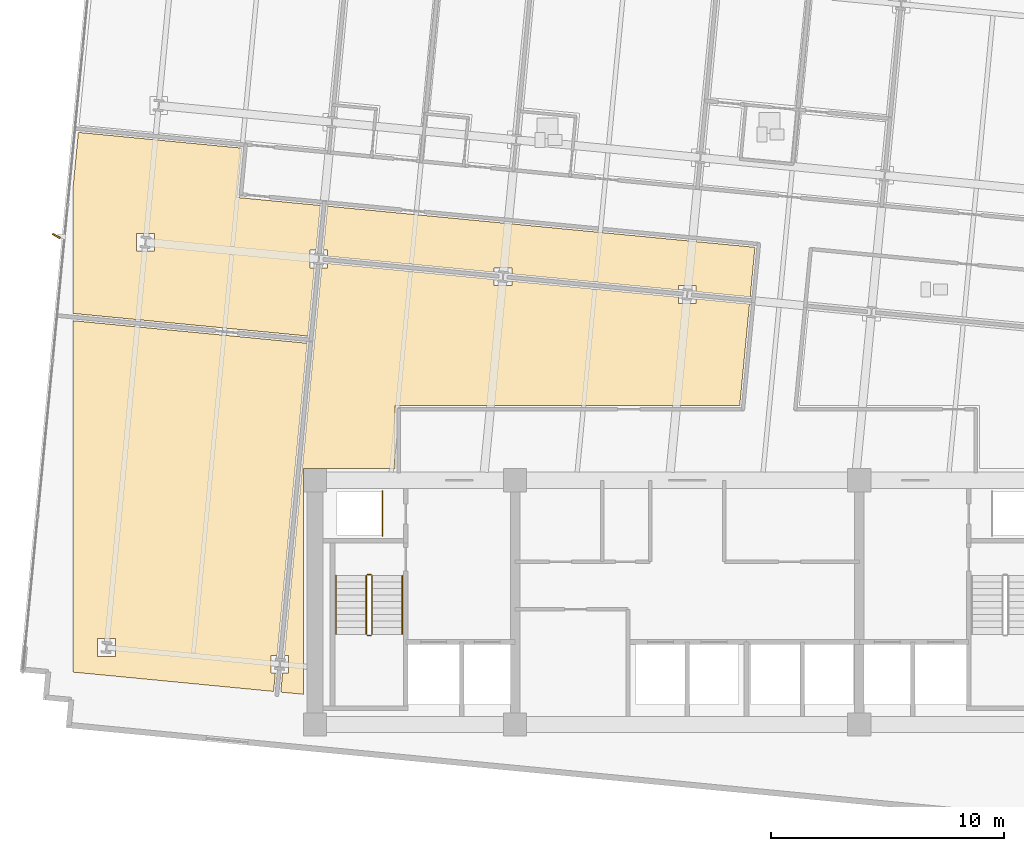
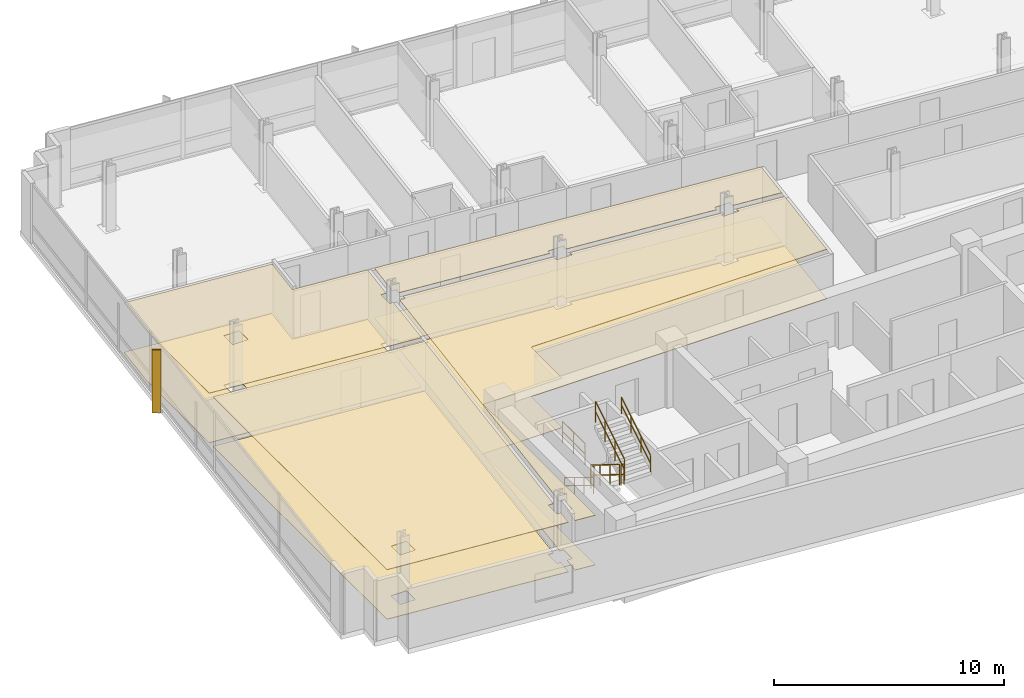
# One storey, part 14 of 17: 8 coverings, 7 railings, 1 shading device.
"""IFC4 building model written with IfcOpenShell, lengths in metres."""

from ifc_helpers import new_model, si_unit, direction, frame, origin, origin_2d, place, context, subcontext, project, spatial, polyline, rectangle, circle, outline, extrude, material, layer, layer_set, type_object, element, save


model = new_model("IFC4")

# Units and contexts
model_context = context("Model", 3, precision=1e-05, world=origin(), true_north=direction((0.0, 1.0)))
body_context = subcontext(model_context, "Body", "Model", "MODEL_VIEW")
ifc_project = project(units=[si_unit("LENGTHUNIT", "METRE"), si_unit("AREAUNIT", "SQUARE_METRE"), si_unit("VOLUMEUNIT", "CUBIC_METRE"), si_unit("PLANEANGLEUNIT", "RADIAN"), si_unit("MASSUNIT", "GRAM", prefix="KILO")], contexts=[model_context])

# Site, building, storey
site_placement = place(None, origin())
site = spatial("IfcSite", under=ifc_project, at=site_placement, CompositionType="ELEMENT")
building_placement = place(site_placement, origin())
building = spatial("IfcBuilding", under=site, at=building_placement, Name="Solmavex Isthmus Hotel", CompositionType="ELEMENT")
storey_placement = place(building_placement, frame((0.0, 0.0, 156.60009765625)))
storey = spatial("IfcBuildingStorey", under=building, at=storey_placement, Name="L42", CompositionType="ELEMENT", Elevation=156.60009765625)

# Coverings
ifc_material_1 = material(Name="Gypsum plasterboard lining", Category="gypsum")
ifc_layer_1 = layer(ifc_material_1, 0.030029296875)
ifc_layer_set_1 = layer_set([ifc_layer_1], Name="Gypsum plasterboard lining")
covering_type_1 = type_object("IfcCoveringType", Name="COV-CEIL-GYP", PredefinedType="CEILING", material=ifc_layer_set_1)
covering_1_placement = place(storey_placement, frame((0.0, 0.0, 2.619873046875)))
element("IfcCovering", 1, at=covering_1_placement, inside=storey, type_object=covering_type_1, Name="Suspended Acoustic Ceiling L42-FL08", PredefinedType="CEILING", context=body_context, shape_type="SweptSolid", body=[
    extrude(outline(polyline([(-0.378662109375, 5.6826171875), (-0.378662109375, 5.870361328125), (0.38134765625, 5.870361328125), (0.38134765625, 5.609375), (2.706787109375, 5.385498046875), (2.911865234375, 7.515625), (-15.463134765625, 9.284912109375), (-15.645263671875, 7.3955078125), (-15.45751953125, 7.3955078125), (-15.45751953125, 7.134521484375), (-8.298095703125, 6.445068359375), (-8.298095703125, 6.6328125), (-7.5380859375, 6.6328125), (-7.5380859375, 6.3720703125), (-0.378662109375, 5.6826171875)])), origin(), (0.0, 0.0, 1.0), 0.030029296875),
])
covering_2_placement = place(storey_placement, frame((0.0, 0.0, 2.619873046875)))
element("IfcCovering", 2, at=covering_2_placement, inside=storey, type_object=covering_type_1, Name="Suspended Acoustic Ceiling L42-FL10", PredefinedType="CEILING", context=body_context, shape_type="SweptSolid", body=[
    extrude(outline(polyline([(-16.02978515625, 6.635498046875), (-16.217529296875, 6.635498046875), (-16.217529296875, 7.3955078125), (-15.95654296875, 7.3955078125), (-15.771728515625, 9.314697265625), (-19.355224609375, 9.65966796875), (-19.151123046875, 11.780029296875), (-26.176513671875, 12.45654296875), (-26.39990234375, 10.135986328125), (-26.39990234375, 4.672119140625), (-16.312255859375, 3.70068359375), (-16.02978515625, 6.635498046875)]), holes=[polyline([(-23.6708984375, 7.35302734375), (-23.6708984375, 8.113037109375), (-22.910888671875, 8.113037109375), (-22.910888671875, 7.35302734375), (-23.6708984375, 7.35302734375)])]), origin(), (0.0, 0.0, 1.0), 0.030029296875),
])
covering_3_placement = place(storey_placement, frame((0.0, 0.0, 2.619873046875)))
element("IfcCovering", 3, at=covering_3_placement, inside=storey, type_object=covering_type_1, Name="Suspended Acoustic Ceiling L42-FL11", PredefinedType="CEILING", context=body_context, shape_type="SweptSolid", body=[
    extrude(outline(polyline([(-17.322509765625, -10.02392578125), (-17.134765625, -10.02392578125), (-17.134765625, -10.783935546875), (-17.395751953125, -10.783935546875), (-17.47509765625, -11.6083984375), (-16.5048828125, -11.70166015625), (-16.5048828125, -1.9951171875), (-12.554931640625, -1.9951171875), (-12.554931640625, 0.705078125), (2.256103515625, 0.705078125), (2.677001953125, 5.076904296875), (0.38134765625, 5.298095703125), (0.38134765625, 5.1103515625), (-0.378662109375, 5.1103515625), (-0.378662109375, 5.37109375), (-7.5380859375, 6.060546875), (-7.5380859375, 5.872802734375), (-8.298095703125, 5.872802734375), (-8.298095703125, 6.1337890625), (-15.45751953125, 6.822998046875), (-15.45751953125, 6.635498046875), (-15.71826171875, 6.635498046875), (-17.322509765625, -10.02392578125)])), origin(), (0.0, 0.0, 1.0), 0.030029296875),
])
covering_4_placement = place(storey_placement, frame((0.0, 0.0, 2.619873046875)))
element("IfcCovering", 4, at=covering_4_placement, inside=storey, type_object=covering_type_1, Name="Suspended Acoustic Ceiling L42-FL13", PredefinedType="CEILING", context=body_context, shape_type="SweptSolid", body=[
    extrude(outline(polyline([(-26.39990234375, 4.360595703125), (-26.39990234375, -10.7490234375), (-17.78369140625, -11.57861328125), (-17.70703125, -10.783935546875), (-17.894775390625, -10.783935546875), (-17.894775390625, -10.02392578125), (-17.6337890625, -10.02392578125), (-16.342041015625, 3.39208984375), (-26.39990234375, 4.360595703125)]), holes=[polyline([(-25.348388671875, -10.06640625), (-25.348388671875, -9.306396484375), (-24.58837890625, -9.306396484375), (-24.58837890625, -10.06640625), (-25.348388671875, -10.06640625)])]), origin(), (0.0, 0.0, 1.0), 0.030029296875),
])
ifc_material_2 = material(Name="Travertine natural stone", Category="masonry")
ifc_layer_2 = layer(ifc_material_2, 0.02490234375)
ifc_layer_set_2 = layer_set([ifc_layer_2], Name="Travertine natural stone")
covering_type_2 = type_object("IfcCoveringType", Name="COV-FLOR-STN", PredefinedType="FLOORING", material=ifc_layer_set_2)
covering_5_placement = place(storey_placement, origin())
element("IfcCovering", 5, at=covering_5_placement, inside=storey, type_object=covering_type_2, Name="Stone and Timber Floor Finish L42-FL08", PredefinedType="FLOORING", context=body_context, shape_type="SweptSolid", body=[
    extrude(outline(polyline([(-0.378662109375, 5.6826171875), (-0.378662109375, 5.870361328125), (0.38134765625, 5.870361328125), (0.38134765625, 5.609375), (2.706787109375, 5.385498046875), (2.911865234375, 7.515625), (-15.463134765625, 9.284912109375), (-15.645263671875, 7.3955078125), (-15.45751953125, 7.3955078125), (-15.45751953125, 7.134521484375), (-8.298095703125, 6.445068359375), (-8.298095703125, 6.6328125), (-7.5380859375, 6.6328125), (-7.5380859375, 6.3720703125), (-0.378662109375, 5.6826171875)])), origin(), (0.0, 0.0, 1.0), 0.02490234375),
])
covering_6_placement = place(storey_placement, origin())
element("IfcCovering", 6, at=covering_6_placement, inside=storey, type_object=covering_type_2, Name="Stone and Timber Floor Finish L42-FL10", PredefinedType="FLOORING", context=body_context, shape_type="SweptSolid", body=[
    extrude(outline(polyline([(-16.02978515625, 6.635498046875), (-16.217529296875, 6.635498046875), (-16.217529296875, 7.3955078125), (-15.95654296875, 7.3955078125), (-15.771728515625, 9.314697265625), (-19.355224609375, 9.65966796875), (-19.151123046875, 11.780029296875), (-26.176513671875, 12.45654296875), (-26.39990234375, 10.135986328125), (-26.39990234375, 4.672119140625), (-16.312255859375, 3.70068359375), (-16.02978515625, 6.635498046875)]), holes=[polyline([(-23.6708984375, 7.35302734375), (-23.6708984375, 8.113037109375), (-22.910888671875, 8.113037109375), (-22.910888671875, 7.35302734375), (-23.6708984375, 7.35302734375)])]), origin(), (0.0, 0.0, 1.0), 0.02490234375),
])
covering_7_placement = place(storey_placement, origin())
element("IfcCovering", 7, at=covering_7_placement, inside=storey, type_object=covering_type_2, Name="Stone and Timber Floor Finish L42-FL11", PredefinedType="FLOORING", context=body_context, shape_type="SweptSolid", body=[
    extrude(outline(polyline([(-17.322509765625, -10.02392578125), (-17.134765625, -10.02392578125), (-17.134765625, -10.783935546875), (-17.395751953125, -10.783935546875), (-17.47509765625, -11.6083984375), (-16.5048828125, -11.70166015625), (-16.5048828125, -1.9951171875), (-12.554931640625, -1.9951171875), (-12.554931640625, 0.705078125), (2.256103515625, 0.705078125), (2.677001953125, 5.076904296875), (0.38134765625, 5.298095703125), (0.38134765625, 5.1103515625), (-0.378662109375, 5.1103515625), (-0.378662109375, 5.37109375), (-7.5380859375, 6.060546875), (-7.5380859375, 5.872802734375), (-8.298095703125, 5.872802734375), (-8.298095703125, 6.1337890625), (-15.45751953125, 6.822998046875), (-15.45751953125, 6.635498046875), (-15.71826171875, 6.635498046875), (-17.322509765625, -10.02392578125)])), origin(), (0.0, 0.0, 1.0), 0.02490234375),
])
covering_8_placement = place(storey_placement, origin())
element("IfcCovering", 8, at=covering_8_placement, inside=storey, type_object=covering_type_2, Name="Stone and Timber Floor Finish L42-FL13", PredefinedType="FLOORING", context=body_context, shape_type="SweptSolid", body=[
    extrude(outline(polyline([(-26.39990234375, 4.360595703125), (-26.39990234375, -10.7490234375), (-17.78369140625, -11.57861328125), (-17.70703125, -10.783935546875), (-17.894775390625, -10.783935546875), (-17.894775390625, -10.02392578125), (-17.6337890625, -10.02392578125), (-16.342041015625, 3.39208984375), (-26.39990234375, 4.360595703125)]), holes=[polyline([(-25.348388671875, -10.06640625), (-25.348388671875, -9.306396484375), (-24.58837890625, -9.306396484375), (-24.58837890625, -10.06640625), (-25.348388671875, -10.06640625)])]), origin(), (0.0, 0.0, 1.0), 0.02490234375),
])

# Railings
ifc_material_3 = material(Name="Clear low-E laminated glass", Category="glass")
ifc_layer_3 = layer(ifc_material_3, 0.080078125)
ifc_layer_set_3 = layer_set([ifc_layer_3], Name="Clear low-E laminated glass")
railing_type_1 = type_object("IfcRailingType", Name="RAIL-ATRIUM-1120", PredefinedType="BALUSTRADE", material=ifc_layer_set_3)
railing_1_placement = place(storey_placement, frame((-13.10009765625, -4.89990234375, 0.0)))
element("IfcRailing", 9, at=railing_1_placement, inside=storey, type_object=railing_type_1, Name="Guardrail Balustrade L42-RSW-01", PredefinedType="BALUSTRADE", context=body_context, shape_type="SweptSolid", body=[
    extrude(circle(Radius=0.02392578125, at=origin_2d()), frame((0.0, 0.0, 1.1259765625), z_axis=(0.0, 1.0, 0.0), x_axis=(-1.0, 0.0, 0.0)), (0.0, 0.0, 1.0), 1.949951171875),
    extrude(circle(Radius=0.02392578125, at=origin_2d()), frame((0.0, 0.0, 0.574951171875), z_axis=(0.0, 1.0, 0.0), x_axis=(-1.0, 0.0, 0.0)), (0.0, 0.0, 1.0), 1.949951171875),
    extrude(circle(Radius=0.02099609375, at=origin_2d()), origin(), (0.0, 0.0, 1.0), 1.101806640625),
    extrude(circle(Radius=0.02099609375, at=origin_2d()), frame((0.0, 0.97509765625, 0.0)), (0.0, 0.0, 1.0), 1.101806640625),
    extrude(circle(Radius=0.02099609375, at=origin_2d()), frame((0.0, 1.949951171875, 0.0)), (0.0, 0.0, 1.0), 1.101806640625),
])
ifc_material_4 = material(Name="Stainless steel 316", Category="steel")
ifc_layer_4 = layer(ifc_material_4, 0.06005859375)
ifc_layer_set_4 = layer_set([ifc_layer_4], Name="Stainless steel 316")
railing_type_2 = type_object("IfcRailingType", Name="RAIL-STAIR-GD", PredefinedType="GUARDRAIL", material=ifc_layer_set_4)
railing_2_placement = place(storey_placement, frame((-13.800048828125, -6.60009765625, 0.17236328125)))
element("IfcRailing", 10, at=railing_2_placement, inside=storey, type_object=railing_type_2, Name="L42 ST-1 stair guard 1", PredefinedType="GUARDRAIL", context=body_context, shape_type="SweptSolid", body=[
    extrude(circle(Radius=0.02392578125, at=origin_2d()), frame((0.0, 0.0, 1.09619140625), z_axis=(0.0, -0.851400495292, 0.524516154772), x_axis=(1.0, 0.0, 0.0)), (0.0, 0.0, 1.0), 2.9599609375),
    extrude(circle(Radius=0.02392578125, at=origin_2d()), frame((0.0, 0.0, 0.56005859375), z_axis=(0.0, -0.851400495292, 0.524516154772), x_axis=(1.0, 0.0, 0.0)), (0.0, 0.0, 1.0), 2.9599609375),
    extrude(circle(Radius=0.02099609375, at=origin_2d()), origin(), (0.0, 0.0, 1.0), 1.072021484375),
    extrude(circle(Radius=0.02099609375, at=origin_2d()), frame((0.0, -0.840087890625, 0.517578125)), (0.0, 0.0, 1.0), 1.072021484375),
    extrude(circle(Radius=0.02099609375, at=origin_2d()), frame((0.0, -1.679931640625, 1.034912109375)), (0.0, 0.0, 1.0), 1.072021484375),
    extrude(circle(Radius=0.02099609375, at=origin_2d()), frame((0.0, -2.52001953125, 1.552490234375)), (0.0, 0.0, 1.0), 1.072021484375),
])
railing_3_placement = place(storey_placement, frame((-13.75, -9.169921875, 1.724853515625)))
element("IfcRailing", 11, at=railing_3_placement, inside=storey, type_object=railing_type_2, Name="L42 ST-1 stair guard 2", PredefinedType="GUARDRAIL", context=body_context, shape_type="SweptSolid", body=[
    extrude(circle(Radius=0.02392578125, at=origin_2d()), frame((0.0, 0.0, 1.09619140625), z_axis=(1.0, 0.0, 0.0), x_axis=(0.0, 1.0, 0.0)), (0.0, 0.0, 1.0), 0.14990234375),
    extrude(circle(Radius=0.02392578125, at=origin_2d()), frame((0.0, 0.0, 0.56005859375), z_axis=(1.0, 0.0, 0.0), x_axis=(0.0, 1.0, 0.0)), (0.0, 0.0, 1.0), 0.14990234375),
    extrude(circle(Radius=0.02099609375, at=origin_2d()), origin(), (0.0, 0.0, 1.0), 1.072021484375),
    extrude(circle(Radius=0.02099609375, at=origin_2d()), frame((0.14990234375, 0.0, 0.0)), (0.0, 0.0, 1.0), 1.072021484375),
])
railing_4_placement = place(storey_placement, frame((-13.550048828125, -9.1201171875, 1.8974609375)))
element("IfcRailing", 12, at=railing_4_placement, inside=storey, type_object=railing_type_2, Name="L42 ST-1 stair guard 3", PredefinedType="GUARDRAIL", context=body_context, shape_type="SweptSolid", body=[
    extrude(circle(Radius=0.02392578125, at=origin_2d()), frame((0.0, 0.0, 1.09619140625), z_axis=(0.0, 0.851400495292, 0.524516154772), x_axis=(-1.0, 0.0, 0.0)), (0.0, 0.0, 1.0), 2.9599609375),
    extrude(circle(Radius=0.02392578125, at=origin_2d()), frame((0.0, 0.0, 0.56005859375), z_axis=(0.0, 0.851400495292, 0.524516154772), x_axis=(-1.0, 0.0, 0.0)), (0.0, 0.0, 1.0), 2.9599609375),
    extrude(circle(Radius=0.02099609375, at=origin_2d()), origin(), (0.0, 0.0, 1.0), 1.072021484375),
    extrude(circle(Radius=0.02099609375, at=origin_2d()), frame((0.0, 0.840087890625, 0.517578125)), (0.0, 0.0, 1.0), 1.072021484375),
    extrude(circle(Radius=0.02099609375, at=origin_2d()), frame((0.0, 1.679931640625, 1.034912109375)), (0.0, 0.0, 1.0), 1.072021484375),
    extrude(circle(Radius=0.02099609375, at=origin_2d()), frame((0.0, 2.52001953125, 1.552490234375)), (0.0, 0.0, 1.0), 1.072021484375),
])
railing_5_placement = place(storey_placement, frame((-13.75, -6.550048828125, 0.0)))
element("IfcRailing", 13, at=railing_5_placement, inside=storey, type_object=railing_type_2, Name="L42 ST-1 stair guard 4", PredefinedType="GUARDRAIL", context=body_context, shape_type="SweptSolid", body=[
    extrude(circle(Radius=0.02392578125, at=origin_2d()), frame((0.0, 0.0, 1.09619140625), z_axis=(1.0, 0.0, 0.0), x_axis=(0.0, 1.0, 0.0)), (0.0, 0.0, 1.0), 0.14990234375),
    extrude(circle(Radius=0.02392578125, at=origin_2d()), frame((0.0, 0.0, 0.56005859375), z_axis=(1.0, 0.0, 0.0), x_axis=(0.0, 1.0, 0.0)), (0.0, 0.0, 1.0), 0.14990234375),
    extrude(circle(Radius=0.02099609375, at=origin_2d()), origin(), (0.0, 0.0, 1.0), 1.072021484375),
    extrude(circle(Radius=0.02099609375, at=origin_2d()), frame((0.14990234375, 0.0, 0.0)), (0.0, 0.0, 1.0), 1.072021484375),
])
ifc_layer_5 = layer(ifc_material_4, 0.050048828125)
ifc_layer_set_5 = layer_set([ifc_layer_5], Name="Stainless steel 316")
railing_type_3 = type_object("IfcRailingType", Name="RAIL-STAIR-HR", PredefinedType="HANDRAIL", material=ifc_layer_set_5)
railing_6_placement = place(storey_placement, frame((-15.10009765625, -6.60009765625, 0.17236328125)))
element("IfcRailing", 14, at=railing_6_placement, inside=storey, type_object=railing_type_3, Name="L42 ST-1 stair handrail 1", PredefinedType="HANDRAIL", context=body_context, shape_type="SweptSolid", body=[
    extrude(circle(Radius=0.02392578125, at=origin_2d()), frame((0.0, 0.0, 0.8759765625), z_axis=(0.0, -0.851400495292, 0.524516154772), x_axis=(1.0, 0.0, 0.0)), (0.0, 0.0, 1.0), 2.9599609375),
    extrude(circle(Radius=0.02392578125, at=origin_2d()), frame((0.0, 0.0, 0.449951171875), z_axis=(0.0, -0.851400495292, 0.524516154772), x_axis=(1.0, 0.0, 0.0)), (0.0, 0.0, 1.0), 2.9599609375),
    extrude(circle(Radius=0.02099609375, at=origin_2d()), origin(), (0.0, 0.0, 1.0), 0.851806640625),
    extrude(circle(Radius=0.02099609375, at=origin_2d()), frame((0.0, -0.840087890625, 0.517578125)), (0.0, 0.0, 1.0), 0.851806640625),
    extrude(circle(Radius=0.02099609375, at=origin_2d()), frame((0.0, -1.679931640625, 1.034912109375)), (0.0, 0.0, 1.0), 0.851806640625),
    extrude(circle(Radius=0.02099609375, at=origin_2d()), frame((0.0, -2.52001953125, 1.552490234375)), (0.0, 0.0, 1.0), 0.851806640625),
])
railing_7_placement = place(storey_placement, frame((-12.25, -9.1201171875, 1.8974609375)))
element("IfcRailing", 15, at=railing_7_placement, inside=storey, type_object=railing_type_3, Name="L42 ST-1 stair handrail 2", PredefinedType="HANDRAIL", context=body_context, shape_type="SweptSolid", body=[
    extrude(circle(Radius=0.02392578125, at=origin_2d()), frame((0.0, 0.0, 0.8759765625), z_axis=(0.0, 0.851400495292, 0.524516154772), x_axis=(-1.0, 0.0, 0.0)), (0.0, 0.0, 1.0), 2.9599609375),
    extrude(circle(Radius=0.02392578125, at=origin_2d()), frame((0.0, 0.0, 0.449951171875), z_axis=(0.0, 0.851400495292, 0.524516154772), x_axis=(-1.0, 0.0, 0.0)), (0.0, 0.0, 1.0), 2.9599609375),
    extrude(circle(Radius=0.02099609375, at=origin_2d()), origin(), (0.0, 0.0, 1.0), 0.851806640625),
    extrude(circle(Radius=0.02099609375, at=origin_2d()), frame((0.0, 0.840087890625, 0.517578125)), (0.0, 0.0, 1.0), 0.851806640625),
    extrude(circle(Radius=0.02099609375, at=origin_2d()), frame((0.0, 1.679931640625, 1.034912109375)), (0.0, 0.0, 1.0), 0.851806640625),
    extrude(circle(Radius=0.02099609375, at=origin_2d()), frame((0.0, 2.52001953125, 1.552490234375)), (0.0, 0.0, 1.0), 0.851806640625),
])

# Shading device
ifc_material_5 = material(Name="Aluminium alloy 6063-T6", Category="aluminium")
shading_device_type = type_object("IfcShadingDeviceType", Name="SHD-FIN-CHAMP", PredefinedType="USERDEFINED", material=ifc_material_5)
shading_device_placement = place(storey_placement, frame((-27.122802734375, 8.001708984375, -0.14013671875), z_axis=(0.0, 0.0, 1.0), x_axis=(-0.87035569594, 0.492423560103, 0.0)))
element("IfcShadingDevice", 16, at=shading_device_placement, inside=storey, type_object=shading_device_type, Name="Anodised Aluminium Solar Fin L42-W1", ObjectType="SOLAR_FIN", PredefinedType="USERDEFINED", context=body_context, shape_type="SweptSolid", body=[
    extrude(rectangle(XDim=0.3798828125, YDim=0.070068359375, at=origin_2d()), origin(), (0.0, 0.0, 1.0), 3.330078125),
])

save(model, "model.ifc")
